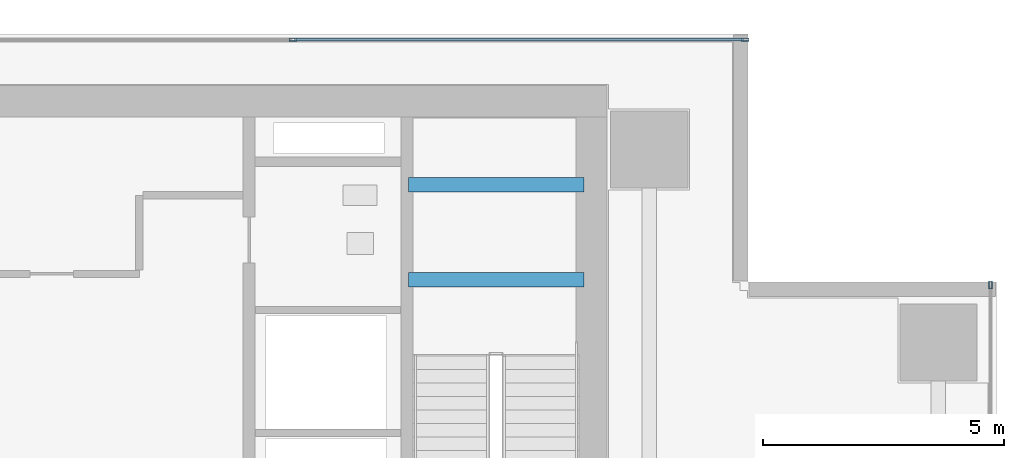
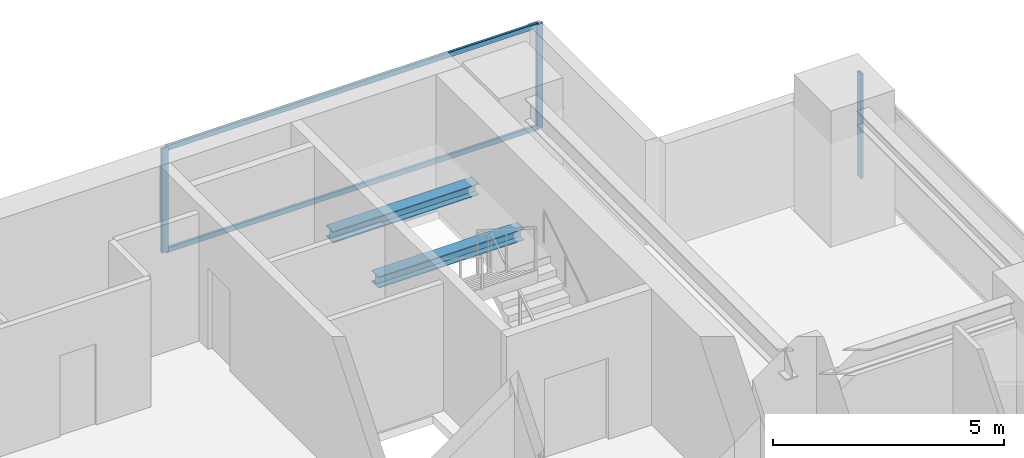
# One storey, part 19 of 28: 5 members, 2 beams, 2 elements without a shape of their own.
"""IFC4 building model written with IfcOpenShell, lengths in metres."""

import ifcopenshell
import ifcopenshell.guid

model = None  # the IFC model being written
_history = None  # IfcOwnerHistory: only IFC2X3 demands one
_inside = {}  # id of a spatial element -> (the spatial element, [elements in it])
_under = {}  # id of a project, library or spatial element -> (it, [spatial elements below it])
_declared = {}  # id of a project -> (the project, [libraries it declares])
_typed = {}  # id of a type object -> (the type object, [elements of that type])
_made_of = {}  # id of a material, layer set ... -> (it, [elements and type objects made of it])


def new_model(schema):
    """Start an empty IFC model of exactly this schema.

    Asked for "IFC4X3", IfcOpenShell would pick the latest addendum, in which some entities
    have other attributes; the version numbers below select the first issue.
    IFC2X3 requires an IfcOwnerHistory on every rooted entity: one is made here for all.
    """
    global model, _history
    if schema == "IFC4X3":
        model = ifcopenshell.file(schema_version=(4, 3, 0, 0))
    else:
        model = ifcopenshell.file(schema=schema)
    _inside.clear()
    _under.clear()
    _declared.clear()
    _typed.clear()
    _made_of.clear()
    _history = None
    if model.schema == "IFC2X3":
        org = make("IfcOrganization", Name="unknown")
        user = make(
            "IfcPersonAndOrganization",
            ThePerson=make("IfcPerson", FamilyName="unknown"),
            TheOrganization=org,
        )
        app = make(
            "IfcApplication",
            ApplicationDeveloper=org,
            Version="unknown",
            ApplicationFullName="unknown",
            ApplicationIdentifier="unknown",
        )
        _history = make(
            "IfcOwnerHistory",
            OwningUser=user,
            OwningApplication=app,
            ChangeAction="ADDED",
            CreationDate=0,
        )
    return model


def make(cls, **values):
    """One entity of the class cls with the attributes given. An attribute that is None is left unset."""
    return model.create_entity(
        cls, **{name: value for name, value in values.items() if value is not None}
    )


def rooted(cls, **values):
    """An entity with a GlobalId (a new one), such as an element, a storey or a relation."""
    return make(cls, GlobalId=ifcopenshell.guid.new(), OwnerHistory=_history, **values)


def si_unit(unit_type, name, prefix=None):
    """IfcSIUnit, for example si_unit("LENGTHUNIT", "METRE", prefix="MILLI")."""
    return make("IfcSIUnit", UnitType=unit_type, Prefix=prefix, Name=name)


def assignment(units):
    """IfcUnitAssignment: the units of a project."""
    return None if units is None else make("IfcUnitAssignment", Units=units)


def point(xyz):
    """IfcCartesianPoint."""
    return None if xyz is None else make("IfcCartesianPoint", Coordinates=xyz)


def direction(xyz):
    """IfcDirection."""
    return None if xyz is None else make("IfcDirection", DirectionRatios=xyz)


def frame(location, z_axis=None, x_axis=None):
    """IfcAxis2Placement3D, a coordinate frame: its origin and axes. An axis left out is left unset."""
    return make(
        "IfcAxis2Placement3D",
        Location=point(location),
        Axis=direction(z_axis),
        RefDirection=direction(x_axis),
    )


def frame_2d(location, x_axis=None):
    """IfcAxis2Placement2D, a coordinate frame in the plane: its origin and x axis."""
    return make(
        "IfcAxis2Placement2D", Location=point(location), RefDirection=direction(x_axis)
    )


def origin():
    """The frame at (0, 0, 0) with its axes left unset."""
    return frame((0.0, 0.0, 0.0))


def origin_2d():
    """The frame at (0, 0) in the plane with its x axis left unset."""
    return frame_2d((0.0, 0.0))


def place(relative_to, where):
    """IfcLocalPlacement: puts the frame where relative to a parent placement (None: the world)."""
    return make(
        "IfcLocalPlacement", PlacementRelTo=relative_to, RelativePlacement=where
    )


def context(
    kind, dimensions, precision=None, world=None, true_north=None, identifier=None
):
    """IfcGeometricRepresentationContext, for example the 3D "Model" context."""
    return make(
        "IfcGeometricRepresentationContext",
        ContextIdentifier=identifier,
        ContextType=kind,
        CoordinateSpaceDimension=dimensions,
        Precision=precision,
        WorldCoordinateSystem=world,
        TrueNorth=true_north,
    )


def subcontext(parent, identifier, kind, view, scale=None):
    """IfcGeometricRepresentationSubContext, for example "Body" below "Model"."""
    return make(
        "IfcGeometricRepresentationSubContext",
        ContextIdentifier=identifier,
        ContextType=kind,
        ParentContext=parent,
        TargetScale=scale,
        TargetView=view,
    )


def project(units=None, contexts=None):
    """IfcProject with its units and contexts."""
    return rooted(
        "IfcProject",
        Name="project",
        RepresentationContexts=contexts,
        UnitsInContext=assignment(units),
    )


def spatial(cls, under=None, at=None, **own):
    """A site, building, storey or space (cls), placed at a placement, below another one or the project."""
    s = rooted(cls, ObjectPlacement=at, **own)
    if under is not None:
        _under.setdefault(under.id(), (under, []))[1].append(s)
    return s


def profile(cls, at=None, kind="AREA", **sizes):
    """A parametric profile (cls). Its sizes go by their IFC names, for example OverallWidth=200.0."""
    return make(cls, ProfileType=kind, Position=at, **sizes)


def hollow_rectangle(**sizes):
    """IfcRectangleHollowProfileDef."""
    return profile("IfcRectangleHollowProfileDef", **sizes)


def i_section(**sizes):
    """IfcIShapeProfileDef."""
    return profile("IfcIShapeProfileDef", **sizes)


def extrude(swept, where, along, depth):
    """IfcExtrudedAreaSolid: the profile swept, set in the frame where, extruded along a direction by depth."""
    return make(
        "IfcExtrudedAreaSolid",
        SweptArea=swept,
        Position=where,
        ExtrudedDirection=direction(along),
        Depth=depth,
    )


def shape(context_of_items, identifier, shape_type, items):
    """IfcShapeRepresentation: the items that make up one representation, for example the "Body"."""
    return make(
        "IfcShapeRepresentation",
        ContextOfItems=context_of_items,
        RepresentationIdentifier=identifier,
        RepresentationType=shape_type,
        Items=items,
    )


def source(mapping_origin, context_of_items, identifier, shape_type, items):
    """IfcRepresentationMap: a shape defined once, which mapped items show again and again."""
    return make(
        "IfcRepresentationMap",
        MappingOrigin=mapping_origin,
        MappedRepresentation=shape(context_of_items, identifier, shape_type, items),
    )


def transform(
    local_origin,
    x_axis=None,
    y_axis=None,
    z_axis=None,
    scale=None,
    scale2=None,
    scale3=None,
    uniform=True,
):
    """IfcCartesianTransformationOperator3D, or its non-uniform kind. x_axis, y_axis, z_axis: its Axis1, 2, 3."""
    if uniform:
        return make(
            "IfcCartesianTransformationOperator3D",
            Axis1=direction(x_axis),
            Axis2=direction(y_axis),
            LocalOrigin=point(local_origin),
            Scale=scale,
            Axis3=direction(z_axis),
        )
    return make(
        "IfcCartesianTransformationOperator3DnonUniform",
        Axis1=direction(x_axis),
        Axis2=direction(y_axis),
        LocalOrigin=point(local_origin),
        Scale=scale,
        Axis3=direction(z_axis),
        Scale2=scale2,
        Scale3=scale3,
    )


def mapped(mapping_source, mapping_target):
    """IfcMappedItem: shows the shape of a source again, moved by a transform."""
    return make(
        "IfcMappedItem", MappingSource=mapping_source, MappingTarget=mapping_target
    )


def material(Name=None, Category=None):
    """IfcMaterial."""
    return make("IfcMaterial", Name=Name, Category=Category)


def layer(
    of_material, thickness, ventilated=None, Name=None, Category=None, Priority=None
):
    """IfcMaterialLayer: one layer of a wall or slab, of a material (None: an air gap)."""
    return make(
        "IfcMaterialLayer",
        Material=of_material,
        LayerThickness=thickness,
        IsVentilated=ventilated,
        Name=Name,
        Category=Category,
        Priority=Priority,
    )


def layer_set(layers, Name=None):
    """IfcMaterialLayerSet."""
    return make("IfcMaterialLayerSet", MaterialLayers=layers, LayerSetName=Name)


def material_profile(
    of_material, cross_section, Name=None, Category=None, Priority=None
):
    """IfcMaterialProfile: a cross section and its material."""
    return make(
        "IfcMaterialProfile",
        Name=Name,
        Material=of_material,
        Profile=cross_section,
        Priority=Priority,
        Category=Category,
    )


def profile_set(profiles, Name=None, composite=None):
    """IfcMaterialProfileSet."""
    return make(
        "IfcMaterialProfileSet",
        Name=Name,
        MaterialProfiles=profiles,
        CompositeProfile=composite,
    )


def made_of(thing, what):
    """Note that an element or type object is made of a material, layer set ...; save() writes the relation."""
    if what is not None:
        _made_of.setdefault(what.id(), (what, []))[1].append(thing)
    return thing


def type_object(cls, material=None, **own):
    """A type object (cls), such as IfcWallType, which elements share."""
    return made_of(rooted(cls, **own), material)


def element(
    cls,
    number,
    at=None,
    inside=None,
    cuts=None,
    type_object=None,
    material=None,
    context=None,
    identifier="Body",
    shape_type=None,
    held_by="IfcProductDefinitionShape",
    body=None,
    shapes=None,
    **own,
):
    """One element of the class cls, such as IfcWall. Its Tag is "e" and its number.

    at: its placement. inside: the storey or other place that contains it. cuts: it is an
    opening in that element (IfcRelVoidsElement). A single representation is given by context,
    identifier, shape_type and body (its items); several are given by shapes. held_by: the class
    of the entity that holds the representations. save() writes the other relations.
    """
    e = rooted(cls, Tag="e%d" % number, ObjectPlacement=at, **own)
    if body is not None:
        shapes = [shape(context, identifier, shape_type, body)]
    if shapes is not None:
        e.Representation = make(held_by, Representations=shapes)
    if inside is not None:
        _inside.setdefault(inside.id(), (inside, []))[1].append(e)
    if cuts is not None:
        rooted(
            "IfcRelVoidsElement", RelatingBuildingElement=cuts, RelatedOpeningElement=e
        )
    if type_object is not None:
        _typed.setdefault(type_object.id(), (type_object, []))[1].append(e)
    return made_of(e, material)


def aggregate(whole, parts):
    """IfcRelAggregates: a whole, such as a stair, and the parts it consists of."""
    return rooted("IfcRelAggregates", RelatingObject=whole, RelatedObjects=parts)


def save(model, path):
    """Write the relations noted so far, then the file.

    IfcRelAggregates (storeys below a building ...), IfcRelContainedInSpatialStructure (elements
    in a storey), IfcRelDefinesByType, IfcRelAssociatesMaterial and IfcRelDeclares: one each for
    every whole, place, type object, material and project.
    """
    for whole, parts in _under.values():
        aggregate(whole, parts)
    for where, things in _inside.values():
        rooted(
            "IfcRelContainedInSpatialStructure",
            RelatedElements=things,
            RelatingStructure=where,
        )
    for kind, things in _typed.values():
        rooted("IfcRelDefinesByType", RelatedObjects=things, RelatingType=kind)
    for what, things in _made_of.values():
        rooted("IfcRelAssociatesMaterial", RelatedObjects=things, RelatingMaterial=what)
    for by, libraries in _declared.values():
        rooted("IfcRelDeclares", RelatingContext=by, RelatedDefinitions=libraries)
    model.write(path)


model = new_model("IFC4")

# Units and contexts
model_context = context("Model", 3, precision=1e-05, world=origin(), true_north=direction((0.0, 1.0)))
body_context = subcontext(model_context, "Body", "Model", "MODEL_VIEW")
ifc_project = project(units=[si_unit("LENGTHUNIT", "METRE"), si_unit("AREAUNIT", "SQUARE_METRE"), si_unit("VOLUMEUNIT", "CUBIC_METRE"), si_unit("PLANEANGLEUNIT", "RADIAN"), si_unit("MASSUNIT", "GRAM", prefix="KILO")], contexts=[model_context])

# Site, building, storey
site_placement = place(None, origin())
site = spatial("IfcSite", under=ifc_project, at=site_placement, CompositionType="ELEMENT")
building_placement = place(site_placement, origin())
building = spatial("IfcBuilding", under=site, at=building_placement, Name="Sumidabori Civic Tower", CompositionType="ELEMENT")
storey_placement = place(building_placement, frame((0.0, 0.0, 178.39990234375)))
storey = spatial("IfcBuildingStorey", under=building, at=storey_placement, Name="L46", CompositionType="ELEMENT", Elevation=178.39990234375)

# Beams
ifc_material_1 = material(Name="Steel SN490", Category="steel")
ifc_material_profile_1 = material_profile(ifc_material_1, i_section(OverallWidth=0.300048828125, OverallDepth=0.300048828125, WebThickness=0.010986328125, FlangeThickness=0.01904296875, at=origin_2d()), Name="HE 300 B")
ifc_profile_set_1 = profile_set([ifc_material_profile_1], Name="Steel SN490")
beam_type = type_object("IfcBeamType", Name="BM-LDG-300", PredefinedType="BEAM", material=ifc_profile_set_1)
shared_shape_1 = source(origin(), body_context, "Body", "SweptSolid", [
    extrude(i_section(OverallWidth=0.300048828125, OverallDepth=0.300048828125, WebThickness=0.010986328125, FlangeThickness=0.01904296875, at=origin_2d()), origin(), (0.0, 0.0, 1.0), 3.64990234375),
])
for number, where, z_axis, x_axis, name in (
    (1, (11.800048828125, 20.09765625, 1.4501953125), (1.0, 0.0, 0.0), (0.0, 1.0, 0.0), "Stair ST-2 Landing Support Beam L46-1A"),
    (2, (11.800048828125, 22.069580078125, 1.4501953125), (1.0, 0.0, 0.0), (0.0, 1.0, 0.0), "Stair ST-2 Landing Trimmer Beam L46-1B"),
):
    element("IfcBeam", number, at=place(storey_placement, frame(where, z_axis=z_axis, x_axis=x_axis)), inside=storey, type_object=beam_type, Name=name, PredefinedType="BEAM", context=body_context, shape_type="MappedRepresentation", body=[
        mapped(shared_shape_1, transform((0.0, 0.0, 0.0), x_axis=(1.0, 0.0, 0.0), y_axis=(0.0, 1.0, 0.0), z_axis=(0.0, 0.0, 1.0), scale=1.0)),
    ])

# Curtain wall, member
ifc_material_2 = material(Name="Anodised Bronze Aluminium AW-6063-T6", Category="aluminium")
ifc_layer = layer(ifc_material_2, 0.179931640625, Name="Anodised Bronze Aluminium AW-6063-T6")
ifc_layer_set = layer_set([ifc_layer], Name="Anodised Bronze Aluminium AW-6063-T6")
curtain_wall_type = type_object("IfcCurtainWallType", Name="CW-SYS-3", PredefinedType="NOTDEFINED", material=ifc_layer_set)
curtain_wall_1_placement = place(storey_placement, origin())
curtain_wall_1 = element("IfcCurtainWall", 3, at=curtain_wall_1_placement, inside=storey, type_object=curtain_wall_type, Name="Curtain Wall CW:L46:R04", PredefinedType="NOTDEFINED")
ifc_material_profile_2 = material_profile(ifc_material_2, hollow_rectangle(XDim=0.06494140625, YDim=0.159912109375, WallThickness=0.0048828125, at=origin_2d()), Name="ALU MULLION 160x65")
ifc_profile_set_2 = profile_set([ifc_material_profile_2], Name="Anodised Bronze Aluminium AW-6063-T6")
member_type_1 = type_object("IfcMemberType", Name="CW-MUL-160", PredefinedType="MULLION", material=ifc_profile_set_2)
shared_shape_2 = source(origin(), body_context, "Body", "SweptSolid", [
    extrude(hollow_rectangle(XDim=0.06494140625, YDim=0.159912109375, WallThickness=0.0048828125, at=origin_2d()), origin(), (0.0, 0.0, 1.0), 2.760009765625),
])
member_1_placement = place(storey_placement, frame((23.8798828125, 19.987548828125, 0.0), z_axis=(0.0, 0.0, 1.0), x_axis=(-1.0, 0.0, 0.0)))
member_1 = element("IfcMember", 4, at=member_1_placement, type_object=member_type_1, Name="CW-3 mullion 5", PredefinedType="MULLION", context=body_context, shape_type="MappedRepresentation", body=[
    mapped(shared_shape_2, transform((0.0, 0.0, 0.0), x_axis=(1.0, 0.0, 0.0), y_axis=(0.0, 1.0, 0.0), z_axis=(0.0, 0.0, 1.0), scale=1.0)),
])
aggregate(curtain_wall_1, [member_1])

# Curtain wall, members
curtain_wall_2_placement = place(storey_placement, origin())
curtain_wall_2 = element("IfcCurtainWall", 5, at=curtain_wall_2_placement, inside=storey, type_object=curtain_wall_type, Name="Curtain Wall CW:L46:R07", PredefinedType="NOTDEFINED")
member_2_placement = place(storey_placement, frame((18.78759765625, 25.080078125, 0.0), z_axis=(0.0, 0.0, 1.0), x_axis=(0.0, -1.0, 0.0)))
member_2 = element("IfcMember", 6, at=member_2_placement, type_object=member_type_1, Name="CW-3 mullion 1", PredefinedType="MULLION", context=body_context, shape_type="MappedRepresentation", body=[
    mapped(shared_shape_2, transform((0.0, 0.0, 0.0), x_axis=(1.0, 0.0, 0.0), y_axis=(0.0, 1.0, 0.0), z_axis=(0.0, 0.0, 1.0), scale=1.0)),
])
member_3_placement = place(storey_placement, frame((9.409912109375, 25.080078125, 0.0), z_axis=(0.0, 0.0, 1.0), x_axis=(0.0, -1.0, 0.0)))
member_3 = element("IfcMember", 7, at=member_3_placement, type_object=member_type_1, Name="CW-3 mullion 2", PredefinedType="MULLION", context=body_context, shape_type="MappedRepresentation", body=[
    mapped(shared_shape_2, transform((0.0, 0.0, 0.0), x_axis=(1.0, 0.0, 0.0), y_axis=(0.0, 1.0, 0.0), z_axis=(0.0, 0.0, 1.0), scale=1.0)),
])
ifc_material_profile_3 = material_profile(ifc_material_2, hollow_rectangle(XDim=0.06005859375, YDim=0.1298828125, WallThickness=0.0048828125, at=origin_2d()), Name="ALU TRANSOM 130x60")
ifc_profile_set_3 = profile_set([ifc_material_profile_3], Name="Anodised Bronze Aluminium AW-6063-T6")
member_type_2 = type_object("IfcMemberType", Name="CW-TRN-130", PredefinedType="USERDEFINED", material=ifc_profile_set_3)
shared_shape_3 = source(origin(), body_context, "Body", "SweptSolid", [
    extrude(hollow_rectangle(XDim=0.06005859375, YDim=0.1298828125, WallThickness=0.0048828125, at=origin_2d()), origin(), (0.0, 0.0, 1.0), 9.3125),
])
member_4_placement = place(storey_placement, frame((18.7548828125, 25.080078125, 0.030029296875), z_axis=(-1.0, 0.0, 0.0), x_axis=(0.0, -1.0, 0.0)))
member_4 = element("IfcMember", 8, at=member_4_placement, type_object=member_type_2, Name="CW-3 transom 1.1", ObjectType="TRANSOM", PredefinedType="USERDEFINED", context=body_context, shape_type="MappedRepresentation", body=[
    mapped(shared_shape_3, transform((0.0, 0.0, 0.0), x_axis=(1.0, 0.0, 0.0), y_axis=(0.0, 1.0, 0.0), z_axis=(0.0, 0.0, 1.0), scale=1.0)),
])
member_5_placement = place(storey_placement, frame((18.7548828125, 25.080078125, 2.72998046875), z_axis=(-1.0, 0.0, 0.0), x_axis=(0.0, -1.0, 0.0)))
member_5 = element("IfcMember", 9, at=member_5_placement, type_object=member_type_2, Name="CW-3 transom 1.2", ObjectType="TRANSOM", PredefinedType="USERDEFINED", context=body_context, shape_type="MappedRepresentation", body=[
    mapped(shared_shape_3, transform((0.0, 0.0, 0.0), x_axis=(1.0, 0.0, 0.0), y_axis=(0.0, 1.0, 0.0), z_axis=(0.0, 0.0, 1.0), scale=1.0)),
])
aggregate(curtain_wall_2, [member_2, member_3, member_4, member_5])

save(model, "model.ifc")
